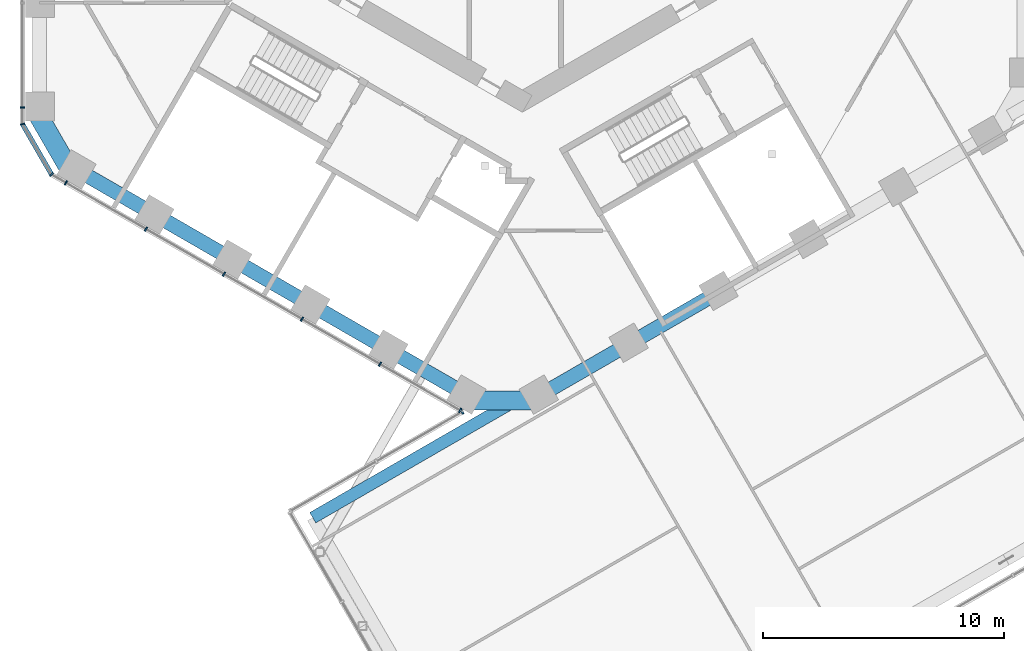
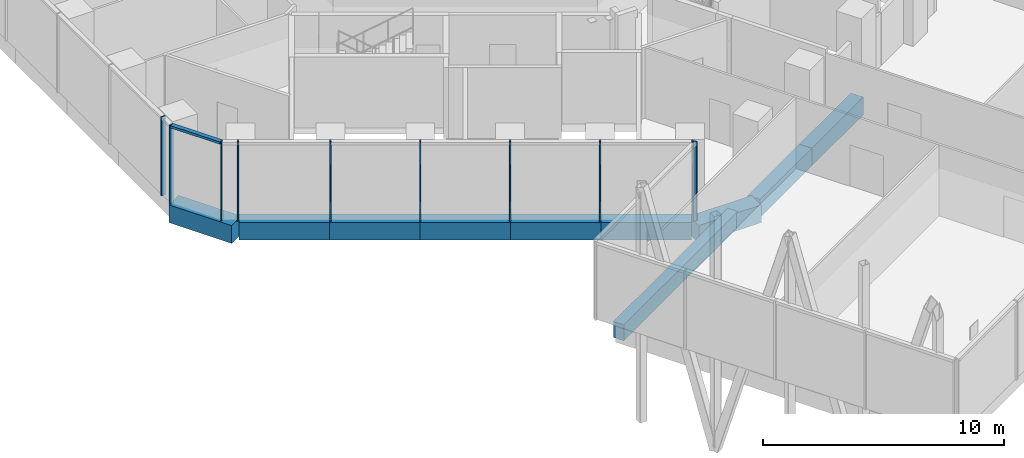
# One storey, part 3 of 27: 11 members, 10 beams, 4 elements without a shape of their own.
"""IFC4 building model written with IfcOpenShell, lengths in metres."""

from ifc_helpers import new_model, si_unit, direction, frame, origin, origin_2d, place, context, subcontext, project, spatial, rectangle, extrude, material, layer, layer_set, material_profile, profile_set, type_object, element, aggregate, save


model = new_model("IFC4")

# Units and contexts
model_context = context("Model", 3, precision=1e-05, world=origin(), true_north=direction((0.0, 1.0)))
body_context = subcontext(model_context, "Body", "Model", "MODEL_VIEW")
ifc_project = project(units=[si_unit("LENGTHUNIT", "METRE"), si_unit("AREAUNIT", "SQUARE_METRE"), si_unit("VOLUMEUNIT", "CUBIC_METRE"), si_unit("PLANEANGLEUNIT", "RADIAN"), si_unit("MASSUNIT", "GRAM", prefix="KILO")], contexts=[model_context])

# Site, building, storey
site_placement = place(None, origin())
site = spatial("IfcSite", under=ifc_project, at=site_placement, CompositionType="ELEMENT")
building_placement = place(site_placement, origin())
building = spatial("IfcBuilding", under=site, at=building_placement, Name="Ayvan Gate Tower", CompositionType="ELEMENT")
storey_placement = place(building_placement, frame((0.0, 0.0, 70.300048828125)))
storey = spatial("IfcBuildingStorey", under=building, at=storey_placement, Name="L18", CompositionType="ELEMENT", Elevation=70.300048828125)

# Beams
ifc_material_1 = material(Name="Concrete C40/50", Category="concrete")
ifc_material_profile_1 = material_profile(ifc_material_1, rectangle(XDim=0.800048828125, YDim=0.89990234375, at=origin_2d()), Name="RC 800x900")
ifc_profile_set_1 = profile_set([ifc_material_profile_1], Name="Concrete C40/50")
beam_type_1 = type_object("IfcBeamType", Name="Corner spandrel beam RC 800x900 C40/50", PredefinedType="BEAM", material=ifc_profile_set_1)
for number, where, z_axis, x_axis, name in (
    (1, (-20.2080078125, -10.82080078125, -0.85009765625), (0.499990139034, -0.866031096941, 0.0), (0.866031096941, 0.499990139034, 0.0), "SB-L18-24"),
    (2, (-2.26708984375, -22.9111328125, -0.85009765625), (1.0, 0.0, 0.0), (0.0, 1.0, 0.0), "SB-L18-30"),
):
    element("IfcBeam", number, at=place(storey_placement, frame(where, z_axis=z_axis, x_axis=x_axis)), inside=storey, type_object=beam_type_1, Name=name, PredefinedType="BEAM", context=body_context, shape_type="SweptSolid", body=[
        extrude(rectangle(XDim=0.800048828125, YDim=0.89990234375, at=origin_2d()), origin(), (0.0, 0.0, 1.0), 3.0),
    ])
ifc_material_profile_2 = material_profile(ifc_material_1, rectangle(XDim=0.5, YDim=0.800048828125, at=origin_2d()), Name="RC 500x800")
ifc_profile_set_2 = profile_set([ifc_material_profile_2], Name="Concrete C40/50")
beam_type_2 = type_object("IfcBeamType", Name="Sky bar edge beam RC 500x800 C40/50", PredefinedType="BEAM", material=ifc_profile_set_2)
beam_1_placement = place(storey_placement, frame((-8.681640625, -27.762939453125, -0.800048828125), z_axis=(0.86603254243, 0.499987635299, 0.0), x_axis=(-0.499987635299, 0.86603254243, 0.0)))
element("IfcBeam", 3, at=beam_1_placement, inside=storey, type_object=beam_type_2, Name="EB-B1-L18-9", PredefinedType="BEAM", context=body_context, shape_type="SweptSolid", body=[
    extrude(rectangle(XDim=0.5, YDim=0.800048828125, at=origin_2d()), origin(), (0.0, 0.0, 1.0), 9.483642578125),
])
ifc_material_profile_3 = material_profile(ifc_material_1, rectangle(XDim=0.60009765625, YDim=0.89990234375, at=origin_2d()), Name="RC 600x900")
ifc_profile_set_3 = profile_set([ifc_material_profile_3], Name="Concrete C40/50")
beam_type_3 = type_object("IfcBeamType", Name="Spandrel beam RC 600x900 C40/50", PredefinedType="BEAM", material=ifc_profile_set_3)
for number, where, z_axis, x_axis, name in (
    (4, (-18.517578125, -13.308837890625, -0.85009765625), (0.86603284386, -0.49998711319, 0.0), (0.49998711319, 0.86603284386, 0.0), "SB-L18-25"),
    (5, (-15.267333984375, -15.185302734375, -0.85009765625), (0.866016580407, -0.500015282227, 0.0), (0.500015282227, 0.866016580407, 0.0), "SB-L18-26"),
    (6, (-12.017333984375, -17.061767578125, -0.85009765625), (0.866016580407, -0.500015282227, 0.0), (0.500015282227, 0.866016580407, 0.0), "SB-L18-27"),
    (7, (-8.767333984375, -18.938232421875, -0.85009765625), (0.866016580407, -0.500015282227, 0.0), (0.500015282227, 0.866016580407, 0.0), "SB-L18-28"),
    (8, (-5.517333984375, -20.814697265625, -0.85009765625), (0.86603284386, -0.49998711319, 0.0), (0.49998711319, 0.86603284386, 0.0), "SB-L18-29"),
):
    element("IfcBeam", number, at=place(storey_placement, frame(where, z_axis=z_axis, x_axis=x_axis)), inside=storey, type_object=beam_type_3, Name=name, PredefinedType="BEAM", context=body_context, shape_type="SweptSolid", body=[
        extrude(rectangle(XDim=0.60009765625, YDim=0.89990234375, at=origin_2d()), origin(), (0.0, 0.0, 1.0), 3.7529296875),
    ])
beam_2_placement = place(storey_placement, frame((0.73291015625, -22.691162109375, -0.85009765625), z_axis=(0.866000531106, 0.500043078269, 0.0), x_axis=(-0.500043078269, 0.866000531106, 0.0)))
element("IfcBeam", 9, at=beam_2_placement, inside=storey, type_object=beam_type_3, Name="SB-L18-31", PredefinedType="BEAM", context=body_context, shape_type="SweptSolid", body=[
    extrude(rectangle(XDim=0.60009765625, YDim=0.89990234375, at=origin_2d()), origin(), (0.0, 0.0, 1.0), 4.2841796875),
])
beam_3_placement = place(storey_placement, frame((4.443115234375, -20.548828125, -0.85009765625), z_axis=(0.866039452998, 0.499975665259, 0.0), x_axis=(-0.499975665259, 0.866039452998, 0.0)))
element("IfcBeam", 10, at=beam_3_placement, inside=storey, type_object=beam_type_3, Name="SB-L18-32", PredefinedType="BEAM", context=body_context, shape_type="SweptSolid", body=[
    extrude(rectangle(XDim=0.60009765625, YDim=0.89990234375, at=origin_2d()), origin(), (0.0, 0.0, 1.0), 4.284423828125),
])

# Curtain wall, member
ifc_material_2 = material(Name="Bronze anodised aluminium", Category="aluminium")
ifc_layer_1 = layer(ifc_material_2, 0.199951171875)
ifc_layer_set_1 = layer_set([ifc_layer_1], Name="Bronze anodised aluminium")
curtain_wall_type_1 = type_object("IfcCurtainWallType", Name="Stick curtain wall CW-1", PredefinedType="NOTDEFINED", material=ifc_layer_set_1)
curtain_wall_1_placement = place(storey_placement, origin())
curtain_wall_1 = element("IfcCurtainWall", 11, at=curtain_wall_1_placement, inside=storey, type_object=curtain_wall_type_1, Name="Stick curtain wall CW-1 L18", PredefinedType="NOTDEFINED")
ifc_material_profile_4 = material_profile(ifc_material_2, rectangle(XDim=0.199951171875, YDim=0.06005859375, at=origin_2d()), Name="Stick curtain wall CW-1 mullion 200 x 60")
ifc_profile_set_4 = profile_set([ifc_material_profile_4], Name="Bronze anodised aluminium")
member_type_1 = type_object("IfcMemberType", Name="Stick curtain wall CW-1 mullion 200 x 60", PredefinedType="MULLION", material=ifc_profile_set_4)
member_1_placement = place(storey_placement, frame((-20.70263671875, -10.781494140625, 0.0), z_axis=(0.0, 0.0, 1.0), x_axis=(-1.0, 0.0, 0.0)))
member_1 = element("IfcMember", 12, at=member_1_placement, type_object=member_type_1, Name="CW-1 mullion 6", PredefinedType="MULLION", context=body_context, shape_type="SweptSolid", body=[
    extrude(rectangle(XDim=0.199951171875, YDim=0.06005859375, at=origin_2d()), origin(), (0.0, 0.0, 1.0), 4.0),
])
aggregate(curtain_wall_1, [member_1])

# Curtain wall, members
curtain_wall_2_placement = place(storey_placement, origin())
curtain_wall_2 = element("IfcCurtainWall", 13, at=curtain_wall_2_placement, inside=storey, type_object=curtain_wall_type_1, Name="Stick curtain wall CW-1 L18", PredefinedType="NOTDEFINED")
member_2_placement = place(storey_placement, frame((-18.906494140625, -13.892578125, 0.0), z_axis=(0.0, 0.0, 1.0), x_axis=(-0.5, -0.866025403784, 0.0)))
member_2 = element("IfcMember", 14, at=member_2_placement, type_object=member_type_1, Name="CW-1 mullion 1", PredefinedType="MULLION", context=body_context, shape_type="SweptSolid", body=[
    extrude(rectangle(XDim=0.199951171875, YDim=0.06005859375, at=origin_2d()), origin(), (0.0, 0.0, 1.0), 4.0),
])
member_3_placement = place(storey_placement, frame((-15.587890625, -15.80859375, 0.0), z_axis=(0.0, 0.0, 1.0), x_axis=(-0.5, -0.866025403784, 0.0)))
member_3 = element("IfcMember", 15, at=member_3_placement, type_object=member_type_1, Name="CW-1 mullion 2", PredefinedType="MULLION", context=body_context, shape_type="SweptSolid", body=[
    extrude(rectangle(XDim=0.199951171875, YDim=0.06005859375, at=origin_2d()), origin(), (0.0, 0.0, 1.0), 4.0),
])
member_4_placement = place(storey_placement, frame((-12.357666015625, -17.673583984375, 0.0), z_axis=(0.0, 0.0, 1.0), x_axis=(-0.5, -0.866025403784, 0.0)))
member_4 = element("IfcMember", 16, at=member_4_placement, type_object=member_type_1, Name="CW-1 mullion 3", PredefinedType="MULLION", context=body_context, shape_type="SweptSolid", body=[
    extrude(rectangle(XDim=0.199951171875, YDim=0.06005859375, at=origin_2d()), origin(), (0.0, 0.0, 1.0), 4.0),
])
member_5_placement = place(storey_placement, frame((-9.127197265625, -19.53857421875, 0.0), z_axis=(0.0, 0.0, 1.0), x_axis=(-0.5, -0.866025403784, 0.0)))
member_5 = element("IfcMember", 17, at=member_5_placement, type_object=member_type_1, Name="CW-1 mullion 4", PredefinedType="MULLION", context=body_context, shape_type="SweptSolid", body=[
    extrude(rectangle(XDim=0.199951171875, YDim=0.06005859375, at=origin_2d()), origin(), (0.0, 0.0, 1.0), 4.0),
])
member_6_placement = place(storey_placement, frame((-5.89697265625, -21.403564453125, 0.0), z_axis=(0.0, 0.0, 1.0), x_axis=(-0.5, -0.866025403784, 0.0)))
member_6 = element("IfcMember", 18, at=member_6_placement, type_object=member_type_1, Name="CW-1 mullion 5", PredefinedType="MULLION", context=body_context, shape_type="SweptSolid", body=[
    extrude(rectangle(XDim=0.199951171875, YDim=0.06005859375, at=origin_2d()), origin(), (0.0, 0.0, 1.0), 4.0),
])
member_7_placement = place(storey_placement, frame((-2.578125, -23.31982421875, 0.0), z_axis=(0.0, 0.0, 1.0), x_axis=(-0.5, -0.866025403784, 0.0)))
member_7 = element("IfcMember", 19, at=member_7_placement, type_object=member_type_1, Name="CW-1 mullion 6", PredefinedType="MULLION", context=body_context, shape_type="SweptSolid", body=[
    extrude(rectangle(XDim=0.199951171875, YDim=0.06005859375, at=origin_2d()), origin(), (0.0, 0.0, 1.0), 4.0),
])
aggregate(curtain_wall_2, [member_2, member_3, member_4, member_5, member_6, member_7])

# Curtain wall, member
ifc_layer_2 = layer(ifc_material_2, 0.199951171875)
ifc_layer_set_2 = layer_set([ifc_layer_2], Name="Bronze anodised aluminium")
curtain_wall_type_2 = type_object("IfcCurtainWallType", Name="Stick curtain wall CW-4", PredefinedType="NOTDEFINED", material=ifc_layer_set_2)
curtain_wall_3_placement = place(storey_placement, origin())
curtain_wall_3 = element("IfcCurtainWall", 20, at=curtain_wall_3_placement, inside=storey, type_object=curtain_wall_type_2, Name="Stick curtain wall CW-4 L18", PredefinedType="NOTDEFINED")
ifc_material_profile_5 = material_profile(ifc_material_2, rectangle(XDim=0.199951171875, YDim=0.080078125, at=origin_2d()), Name="Stick curtain wall CW-4 mullion 200 x 80")
ifc_profile_set_5 = profile_set([ifc_material_profile_5], Name="Bronze anodised aluminium")
member_type_2 = type_object("IfcMemberType", Name="Stick curtain wall CW-4 mullion 200 x 80", PredefinedType="MULLION", material=ifc_profile_set_5)
member_8_placement = place(storey_placement, frame((-2.490966796875, -23.38037109375, 0.0), z_axis=(0.0, 0.0, 1.0), x_axis=(-0.5, 0.866025403784, 0.0)))
member_8 = element("IfcMember", 21, at=member_8_placement, type_object=member_type_2, Name="CW-4 mullion 1", PredefinedType="MULLION", context=body_context, shape_type="SweptSolid", body=[
    extrude(rectangle(XDim=0.199951171875, YDim=0.080078125, at=origin_2d()), origin(), (0.0, 0.0, 1.0), 4.0),
])
aggregate(curtain_wall_3, [member_8])

# Curtain wall, members
ifc_layer_3 = layer(ifc_material_2, 0.199951171875)
ifc_layer_set_3 = layer_set([ifc_layer_3], Name="Bronze anodised aluminium")
curtain_wall_type_3 = type_object("IfcCurtainWallType", Name="Stick curtain wall CW-6", PredefinedType="NOTDEFINED", material=ifc_layer_set_3)
curtain_wall_4_placement = place(storey_placement, origin())
curtain_wall_4 = element("IfcCurtainWall", 22, at=curtain_wall_4_placement, inside=storey, type_object=curtain_wall_type_3, Name="Stick curtain wall CW-6 L18", PredefinedType="NOTDEFINED")
ifc_material_profile_6 = material_profile(ifc_material_2, rectangle(XDim=0.199951171875, YDim=0.050048828125, at=origin_2d()), Name="Stick curtain wall CW-6 mullion 200 x 50")
ifc_profile_set_6 = profile_set([ifc_material_profile_6], Name="Bronze anodised aluminium")
member_type_3 = type_object("IfcMemberType", Name="Stick curtain wall CW-6 mullion 200 x 50", PredefinedType="MULLION", material=ifc_profile_set_6)
member_9_placement = place(storey_placement, frame((-20.70263671875, -11.461669921875, 0.0), z_axis=(0.0, 0.0, 1.0), x_axis=(-0.965925826289, -0.258819045103, 0.0)))
member_9 = element("IfcMember", 23, at=member_9_placement, type_object=member_type_3, Name="CW-6 mullion 2", PredefinedType="MULLION", context=body_context, shape_type="SweptSolid", body=[
    extrude(rectangle(XDim=0.199951171875, YDim=0.050048828125, at=origin_2d()), origin(), (0.0, 0.0, 1.0), 4.0),
])
member_10_placement = place(storey_placement, frame((-19.495361328125, -13.552734375, 0.0), z_axis=(0.0, 0.0, 1.0), x_axis=(-0.707106781187, -0.707106781187, 0.0)))
member_10 = element("IfcMember", 24, at=member_10_placement, type_object=member_type_3, Name="CW-6 mullion 3", PredefinedType="MULLION", context=body_context, shape_type="SweptSolid", body=[
    extrude(rectangle(XDim=0.199951171875, YDim=0.050048828125, at=origin_2d()), origin(), (0.0, 0.0, 1.0), 4.0),
])
ifc_material_profile_7 = material_profile(ifc_material_2, rectangle(XDim=0.199951171875, YDim=0.1201171875, at=origin_2d()), Name="Stick curtain wall CW-6 transom 200 x 120")
ifc_profile_set_7 = profile_set([ifc_material_profile_7], Name="Bronze anodised aluminium")
member_type_4 = type_object("IfcMemberType", Name="Stick curtain wall CW-6 transom 200 x 120", PredefinedType="USERDEFINED", material=ifc_profile_set_7)
member_11_placement = place(storey_placement, frame((-20.690185546875, -11.483154296875, 3.93994140625), z_axis=(0.500014398087, -0.866017090885, 0.0), x_axis=(0.866017090885, 0.500014398087, 0.0)))
member_11 = element("IfcMember", 25, at=member_11_placement, type_object=member_type_4, Name="CW-6 transom 2", ObjectType="TRANSOM", PredefinedType="USERDEFINED", context=body_context, shape_type="SweptSolid", body=[
    extrude(rectangle(XDim=0.199951171875, YDim=0.1201171875, at=origin_2d()), origin(), (0.0, 0.0, 1.0), 2.36474609375),
])
aggregate(curtain_wall_4, [member_9, member_10, member_11])

save(model, "model.ifc")
